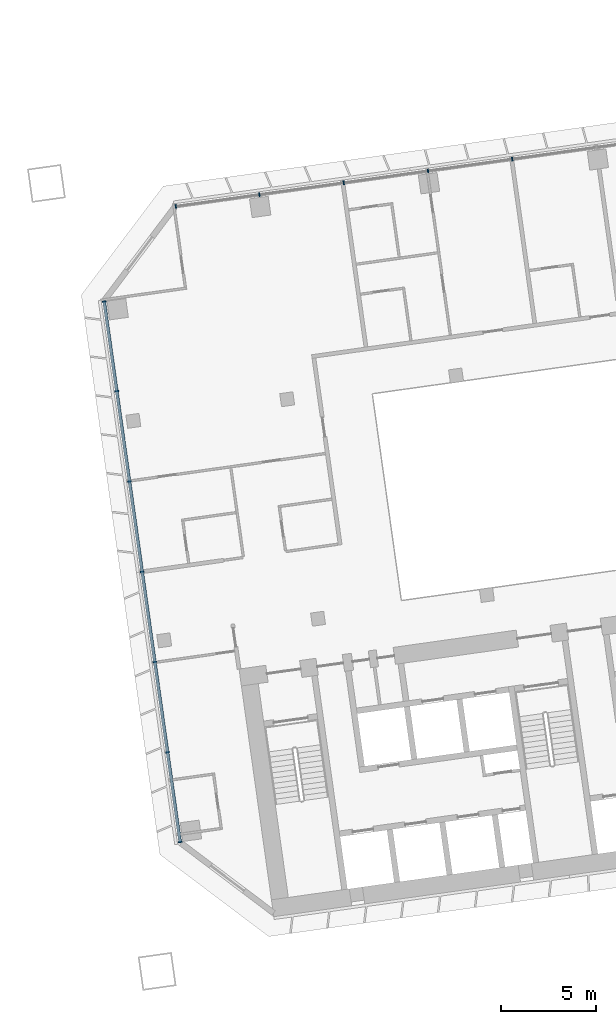
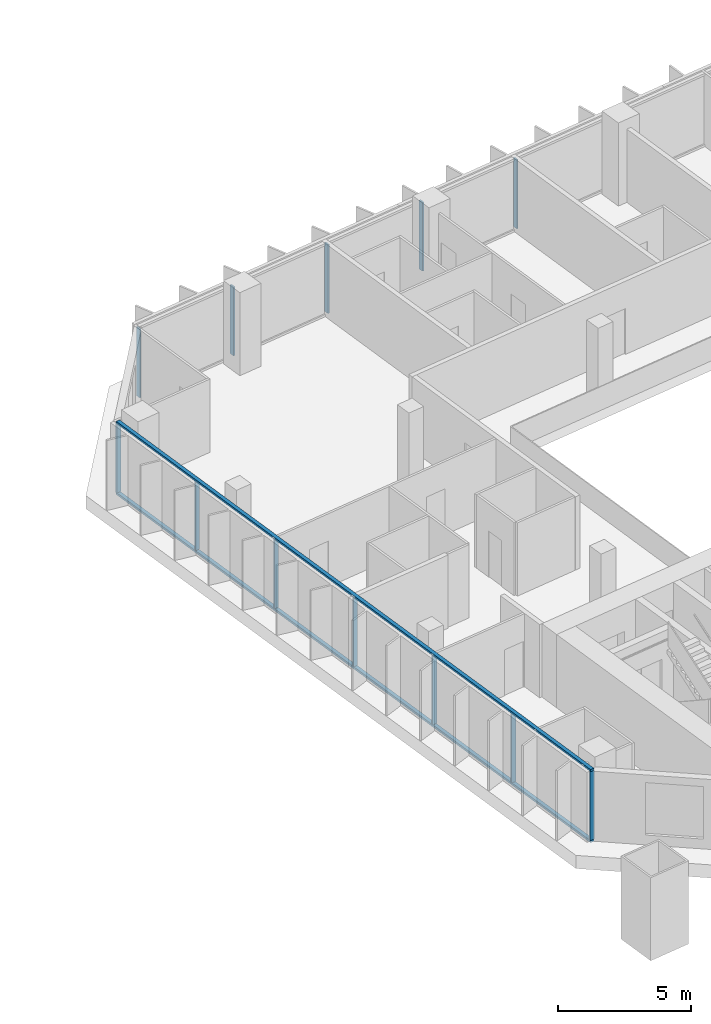
# One storey, part 7 of 25: 14 members, 2 elements without a shape of their own.
"""IFC4 building model written with IfcOpenShell, lengths in metres."""

from ifc_helpers import new_model, si_unit, direction, frame, origin, origin_2d, place, context, subcontext, project, spatial, rectangle, extrude, material, material_profile, profile_set, type_object, element, aggregate, save


model = new_model("IFC4")

# Units and contexts
model_context = context("Model", 3, precision=1e-05, world=origin(), true_north=direction((0.0, 1.0)))
body_context = subcontext(model_context, "Body", "Model", "MODEL_VIEW")
ifc_project = project(units=[si_unit("LENGTHUNIT", "METRE"), si_unit("AREAUNIT", "SQUARE_METRE"), si_unit("VOLUMEUNIT", "CUBIC_METRE"), si_unit("PLANEANGLEUNIT", "RADIAN"), si_unit("MASSUNIT", "GRAM", prefix="KILO")], contexts=[model_context])

# Site, building, storey
site_placement = place(None, origin())
site = spatial("IfcSite", under=ifc_project, at=site_placement, CompositionType="ELEMENT")
building_placement = place(site_placement, origin())
building = spatial("IfcBuilding", under=site, at=building_placement, Name="Mirante Cascada Hotel Towers", CompositionType="ELEMENT")
storey_placement = place(building_placement, frame((0.0, 0.0, 54.7)))
storey = spatial("IfcBuildingStorey", under=building, at=storey_placement, Name="L10", CompositionType="ELEMENT", Elevation=54.7)

# Curtain wall, members
ifc_material_1 = material(Name="Aluminium mullion and transom frame with clear laminated glass", Category="aluminium")
curtain_wall_type_1 = type_object("IfcCurtainWallType", Name="Ribbon curtain wall ECW1", PredefinedType="NOTDEFINED", material=ifc_material_1)
curtain_wall_1_placement = place(storey_placement, origin())
curtain_wall_1 = element("IfcCurtainWall", 1, at=curtain_wall_1_placement, inside=storey, type_object=curtain_wall_type_1, Name="Front ribbon wall T2 L10", PredefinedType="NOTDEFINED")
ifc_material_2 = material(Name="Anodised aluminium extrusion", Category="aluminium")
ifc_material_profile_1 = material_profile(ifc_material_2, rectangle(XDim=0.2, YDim=0.065, at=origin_2d()), Name="ECW1 MULLION 65x200")
ifc_profile_set_1 = profile_set([ifc_material_profile_1], Name="Anodised aluminium extrusion")
member_type_1 = type_object("IfcMemberType", Name="ECW1 mullion 65x200", PredefinedType="MULLION", material=ifc_profile_set_1)
member_1_placement = place(storey_placement, frame((49.684, 19.8017, 0.1), z_axis=(0.0, 0.0, 1.0), x_axis=(0.1391731, -0.9902681, 0.0)))
member_1 = element("IfcMember", 2, at=member_1_placement, type_object=member_type_1, Name="ECW1 mullion 11", PredefinedType="MULLION", context=body_context, shape_type="SweptSolid", body=[
    extrude(rectangle(XDim=0.2, YDim=0.065, at=origin_2d()), origin(), (0.0, 0.0, 1.0), 3.15),
])
member_2_placement = place(storey_placement, frame((45.2366, 19.1766, 0.1), z_axis=(0.0, 0.0, 1.0), x_axis=(0.1391731, -0.9902681, 0.0)))
member_2 = element("IfcMember", 3, at=member_2_placement, type_object=member_type_1, Name="ECW1 mullion 12", PredefinedType="MULLION", context=body_context, shape_type="SweptSolid", body=[
    extrude(rectangle(XDim=0.2, YDim=0.065, at=origin_2d()), origin(), (0.0, 0.0, 1.0), 3.15),
])
member_3_placement = place(storey_placement, frame((40.7892, 18.5516, 0.1), z_axis=(0.0, 0.0, 1.0), x_axis=(0.1391731, -0.9902681, 0.0)))
member_3 = element("IfcMember", 4, at=member_3_placement, type_object=member_type_1, Name="ECW1 mullion 13", PredefinedType="MULLION", context=body_context, shape_type="SweptSolid", body=[
    extrude(rectangle(XDim=0.2, YDim=0.065, at=origin_2d()), origin(), (0.0, 0.0, 1.0), 3.15),
])
member_4_placement = place(storey_placement, frame((36.3417, 17.9265, 0.1), z_axis=(0.0, 0.0, 1.0), x_axis=(0.1391731, -0.9902681, 0.0)))
member_4 = element("IfcMember", 5, at=member_4_placement, type_object=member_type_1, Name="ECW1 mullion 14", PredefinedType="MULLION", context=body_context, shape_type="SweptSolid", body=[
    extrude(rectangle(XDim=0.2, YDim=0.065, at=origin_2d()), origin(), (0.0, 0.0, 1.0), 3.15),
])
member_5_placement = place(storey_placement, frame((31.9265, 17.306, 0.1), z_axis=(0.0, 0.0, 1.0), x_axis=(0.1391731, -0.9902681, 0.0)))
member_5 = element("IfcMember", 6, at=member_5_placement, type_object=member_type_1, Name="ECW1 mullion 15", PredefinedType="MULLION", context=body_context, shape_type="SweptSolid", body=[
    extrude(rectangle(XDim=0.2, YDim=0.065, at=origin_2d()), origin(), (0.0, 0.0, 1.0), 3.15),
])
aggregate(curtain_wall_1, [member_1, member_2, member_3, member_4, member_5])

ifc_material_3 = material(Name="Aluminium mullion and transom frame with clear laminated glass", Category="aluminium")
curtain_wall_type_2 = type_object("IfcCurtainWallType", Name="End ribbon curtain wall ECW2", PredefinedType="NOTDEFINED", material=ifc_material_3)
curtain_wall_2_placement = place(storey_placement, origin())
curtain_wall_2 = element("IfcCurtainWall", 7, at=curtain_wall_2_placement, inside=storey, type_object=curtain_wall_type_2, Name="Inner end wall T2 L10", PredefinedType="NOTDEFINED")
ifc_material_4 = material(Name="Anodised aluminium extrusion", Category="aluminium")
ifc_material_profile_2 = material_profile(ifc_material_4, rectangle(XDim=0.2, YDim=0.065, at=origin_2d()), Name="ECW2 MULLION 65x200")
ifc_profile_set_2 = profile_set([ifc_material_profile_2], Name="Anodised aluminium extrusion")
member_type_2 = type_object("IfcMemberType", Name="ECW2 mullion 65x200", PredefinedType="MULLION", material=ifc_profile_set_2)
member_6_placement = place(storey_placement, frame((28.1437, 12.2861, 0.1), z_axis=(0.0, 0.0, 1.0), x_axis=(0.9902681, 0.1391731, 0.0)))
member_6 = element("IfcMember", 8, at=member_6_placement, type_object=member_type_2, Name="ECW2 mullion 1", PredefinedType="MULLION", context=body_context, shape_type="SweptSolid", body=[
    extrude(rectangle(XDim=0.2, YDim=0.065, at=origin_2d()), origin(), (0.0, 0.0, 1.0), 3.15),
])
member_7_placement = place(storey_placement, frame((28.809, 7.5524, 0.1), z_axis=(0.0, 0.0, 1.0), x_axis=(0.9902681, 0.1391731, 0.0)))
member_7 = element("IfcMember", 9, at=member_7_placement, type_object=member_type_2, Name="ECW2 mullion 2", PredefinedType="MULLION", context=body_context, shape_type="SweptSolid", body=[
    extrude(rectangle(XDim=0.2, YDim=0.065, at=origin_2d()), origin(), (0.0, 0.0, 1.0), 3.15),
])
member_8_placement = place(storey_placement, frame((29.4788, 2.7867, 0.1), z_axis=(0.0, 0.0, 1.0), x_axis=(0.9902681, 0.1391731, 0.0)))
member_8 = element("IfcMember", 10, at=member_8_placement, type_object=member_type_2, Name="ECW2 mullion 3", PredefinedType="MULLION", context=body_context, shape_type="SweptSolid", body=[
    extrude(rectangle(XDim=0.2, YDim=0.065, at=origin_2d()), origin(), (0.0, 0.0, 1.0), 3.15),
])
member_9_placement = place(storey_placement, frame((30.1485, -1.9791, 0.1), z_axis=(0.0, 0.0, 1.0), x_axis=(0.9902681, 0.1391731, 0.0)))
member_9 = element("IfcMember", 11, at=member_9_placement, type_object=member_type_2, Name="ECW2 mullion 4", PredefinedType="MULLION", context=body_context, shape_type="SweptSolid", body=[
    extrude(rectangle(XDim=0.2, YDim=0.065, at=origin_2d()), origin(), (0.0, 0.0, 1.0), 3.15),
])
member_10_placement = place(storey_placement, frame((30.8183, -6.7449, 0.1), z_axis=(0.0, 0.0, 1.0), x_axis=(0.9902681, 0.1391731, 0.0)))
member_10 = element("IfcMember", 12, at=member_10_placement, type_object=member_type_2, Name="ECW2 mullion 5", PredefinedType="MULLION", context=body_context, shape_type="SweptSolid", body=[
    extrude(rectangle(XDim=0.2, YDim=0.065, at=origin_2d()), origin(), (0.0, 0.0, 1.0), 3.15),
])
member_11_placement = place(storey_placement, frame((31.4881, -11.5107, 0.1), z_axis=(0.0, 0.0, 1.0), x_axis=(0.9902681, 0.1391731, 0.0)))
member_11 = element("IfcMember", 13, at=member_11_placement, type_object=member_type_2, Name="ECW2 mullion 6", PredefinedType="MULLION", context=body_context, shape_type="SweptSolid", body=[
    extrude(rectangle(XDim=0.2, YDim=0.065, at=origin_2d()), origin(), (0.0, 0.0, 1.0), 3.15),
])
member_12_placement = place(storey_placement, frame((32.1534, -16.2443, 0.1), z_axis=(0.0, 0.0, 1.0), x_axis=(0.9902681, 0.1391731, 0.0)))
member_12 = element("IfcMember", 14, at=member_12_placement, type_object=member_type_2, Name="ECW2 mullion 7", PredefinedType="MULLION", context=body_context, shape_type="SweptSolid", body=[
    extrude(rectangle(XDim=0.2, YDim=0.065, at=origin_2d()), origin(), (0.0, 0.0, 1.0), 3.15),
])
ifc_material_5 = material(Name="Anodised aluminium extrusion", Category="aluminium")
ifc_material_profile_3 = material_profile(ifc_material_5, rectangle(XDim=0.16, YDim=0.1, at=origin_2d()), Name="ECW2 TRANSOM 100x160")
ifc_profile_set_3 = profile_set([ifc_material_profile_3], Name="Anodised aluminium extrusion")
member_type_3 = type_object("IfcMemberType", Name="ECW2 transom 100x160", PredefinedType="USERDEFINED", material=ifc_profile_set_3)
member_13_placement = place(storey_placement, frame((28.1392, 12.3182, 0.05), z_axis=(0.1391723, -0.9902682, 0.0), x_axis=(0.9902682, 0.1391723, 0.0)))
member_13 = element("IfcMember", 15, at=member_13_placement, type_object=member_type_3, Name="ECW2 sill transom", ObjectType="TRANSOM", PredefinedType="USERDEFINED", context=body_context, shape_type="SweptSolid", body=[
    extrude(rectangle(XDim=0.16, YDim=0.1, at=origin_2d()), origin(), (0.0, 0.0, 1.0), 28.8757),
])
member_14_placement = place(storey_placement, frame((28.1392, 12.3182, 3.3), z_axis=(0.1391723, -0.9902682, 0.0), x_axis=(0.9902682, 0.1391723, 0.0)))
member_14 = element("IfcMember", 16, at=member_14_placement, type_object=member_type_3, Name="ECW2 head transom", ObjectType="TRANSOM", PredefinedType="USERDEFINED", context=body_context, shape_type="SweptSolid", body=[
    extrude(rectangle(XDim=0.16, YDim=0.1, at=origin_2d()), origin(), (0.0, 0.0, 1.0), 28.8757),
])
aggregate(curtain_wall_2, [member_13, member_14, member_6, member_7, member_8, member_9, member_10, member_11, member_12])

save(model, "model.ifc")
